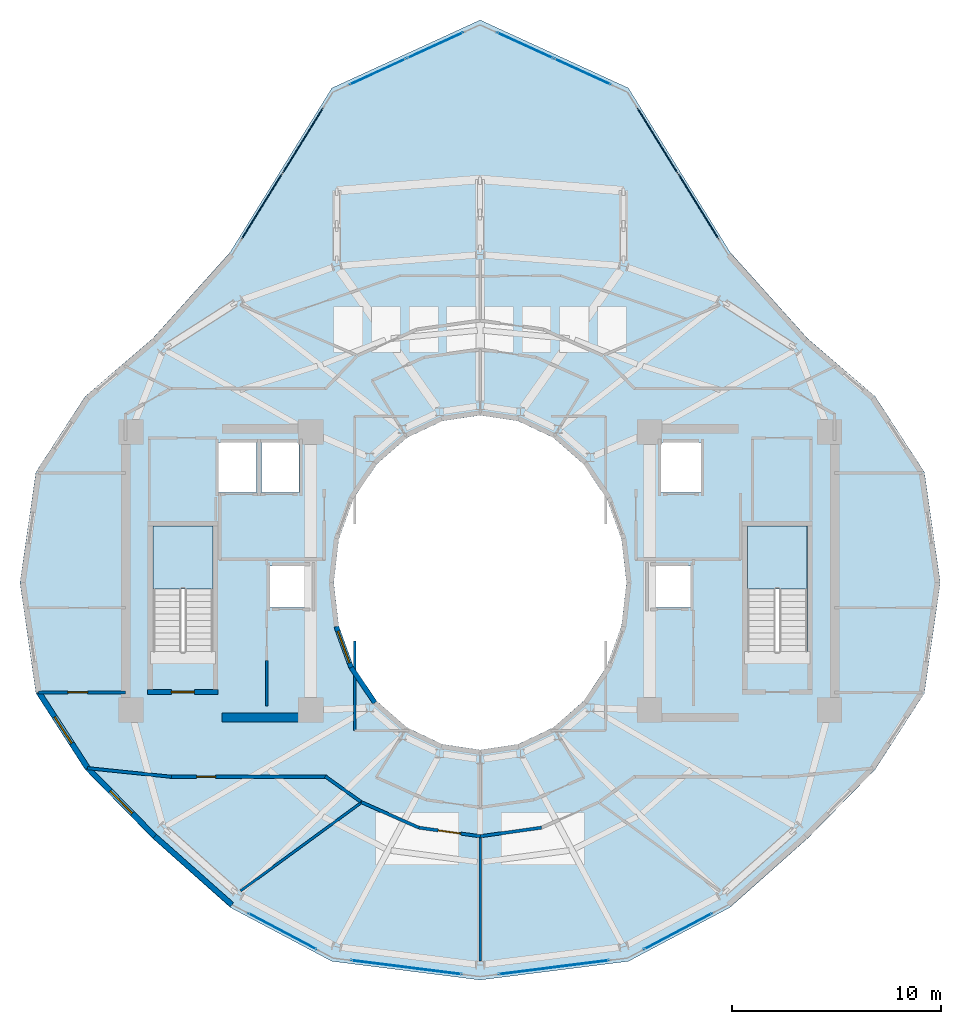
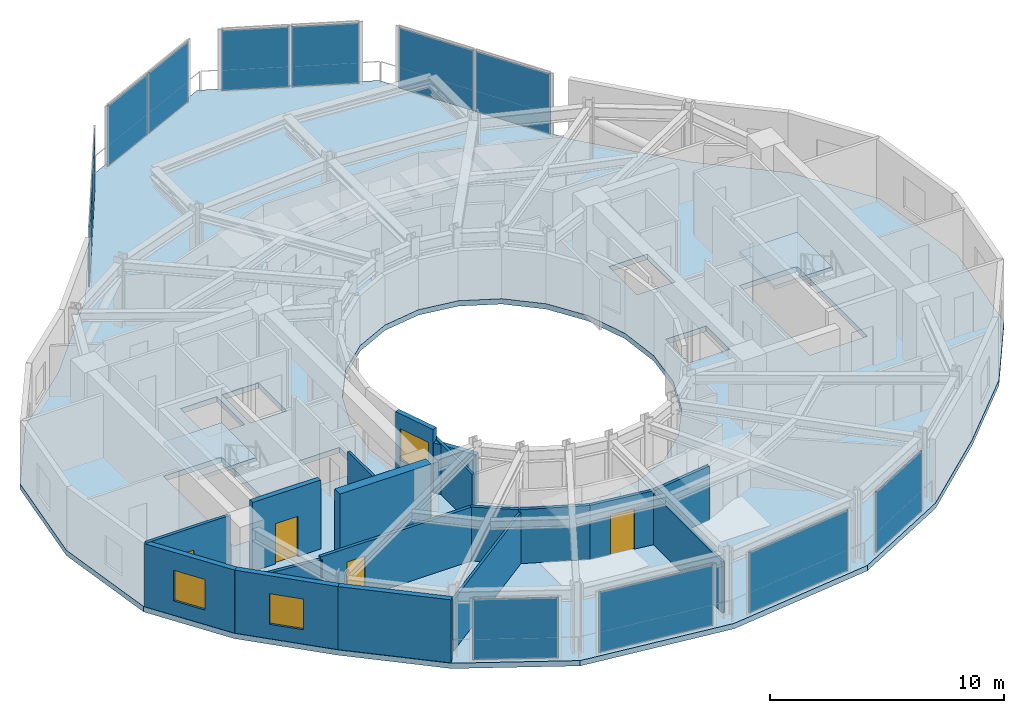
# One storey, part 12 of 19: 18 walls, 12 plates, 4 doors, 3 slabs, 3 windows, 7 openings, 10 elements without a shape of their own.
"""IFC4 building model written with IfcOpenShell, lengths in metres."""

from ifc_helpers import new_model, si_unit, direction, frame, frame_2d, origin, origin_2d, place, context, subcontext, project, spatial, polyline, rectangle, outline, extrude, material, layer, layer_set, type_object, element, fill, aggregate, save


model = new_model("IFC4")

# Units and contexts
model_context = context("Model", 3, precision=1e-05, world=origin(), true_north=direction((0.0, 1.0)))
body_context = subcontext(model_context, "Body", "Model", "MODEL_VIEW")
ifc_project = project(units=[si_unit("LENGTHUNIT", "METRE"), si_unit("AREAUNIT", "SQUARE_METRE"), si_unit("VOLUMEUNIT", "CUBIC_METRE"), si_unit("PLANEANGLEUNIT", "RADIAN"), si_unit("MASSUNIT", "GRAM", prefix="KILO")], contexts=[model_context])

# Site, building, storey
site_placement = place(None, origin())
site = spatial("IfcSite", under=ifc_project, at=site_placement, CompositionType="ELEMENT")
building_placement = place(site_placement, origin())
building = spatial("IfcBuilding", under=site, at=building_placement, Name="Solvane Sanctuary Tower", CompositionType="ELEMENT")
storey_placement = place(building_placement, frame((0.0, 0.0, 242.39990234375)))
storey = spatial("IfcBuildingStorey", under=building, at=storey_placement, Name="L74", CompositionType="ELEMENT", Elevation=242.39990234375)

# Curtain wall, plates
ifc_material_1 = material(Name="Anodised Aluminium 6063-T6", Category="aluminium")
ifc_layer_1 = layer(ifc_material_1, 0.18994140625, Name="Anodised Aluminium 6063-T6")
ifc_layer_set_1 = layer_set([ifc_layer_1], Name="Anodised Aluminium 6063-T6")
curtain_wall_type = type_object("IfcCurtainWallType", Name="Curtain Wall CW-OPER", PredefinedType="NOTDEFINED", material=ifc_layer_set_1)
curtain_wall_1_placement = place(storey_placement, origin())
curtain_wall_1 = element("IfcCurtainWall", 1, at=curtain_wall_1_placement, inside=storey, type_object=curtain_wall_type, Name="L74 CW-OPER Facade Run 04", PredefinedType="NOTDEFINED")
ifc_material_2 = material(Name="Dark Ceramic-Fritted Low-E Glass", Category="glass")
ifc_layer_2 = layer(ifc_material_2, 0.0419921875, Name="Dark Ceramic-Fritted Low-E Glass")
ifc_layer_set_2 = layer_set([ifc_layer_2], Name="Dark Ceramic-Fritted Low-E Glass")
plate_type = type_object("IfcPlateType", Name="Plate PN-OPER-VENT", PredefinedType="CURTAIN_PANEL", material=ifc_layer_set_2)
plate_1_placement = place(storey_placement, frame((42.437255859375, 40.978515625, 0.065185546875), z_axis=(0.0, 0.0, 1.0), x_axis=(-0.527391688453, 0.849622273102, 0.0)))
plate_1 = element("IfcPlate", 2, at=plate_1_placement, type_object=plate_type, Name="CW-OPER panel 1.1", PredefinedType="CURTAIN_PANEL", context=body_context, shape_type="SweptSolid", body=[
    extrude(rectangle(XDim=3.643798828125, YDim=0.0419921875, at=origin_2d()), origin(), (0.0, 0.0, 1.0), 3.14990234375),
])
plate_2_placement = place(storey_placement, frame((40.475830078125, 44.137939453125, 0.065185546875), z_axis=(0.0, 0.0, 1.0), x_axis=(-0.527391688453, 0.849622273102, 0.0)))
plate_2 = element("IfcPlate", 3, at=plate_2_placement, type_object=plate_type, Name="CW-OPER panel 2.1", PredefinedType="CURTAIN_PANEL", context=body_context, shape_type="SweptSolid", body=[
    extrude(rectangle(XDim=3.643798828125, YDim=0.0419921875, at=origin_2d()), origin(), (0.0, 0.0, 1.0), 3.14990234375),
])
aggregate(curtain_wall_1, [plate_1, plate_2])

curtain_wall_2_placement = place(storey_placement, origin())
curtain_wall_2 = element("IfcCurtainWall", 4, at=curtain_wall_2_placement, inside=storey, type_object=curtain_wall_type, Name="L74 CW-OPER Facade Run 05", PredefinedType="NOTDEFINED")
plate_3_placement = place(storey_placement, frame((36.892333984375, 47.430908203125, 0.065185546875), z_axis=(0.0, 0.0, 1.0), x_axis=(-0.909261677661, 0.416224941032, 0.0)))
plate_3 = element("IfcPlate", 5, at=plate_3_placement, type_object=plate_type, Name="CW-OPER panel 1.1", PredefinedType="CURTAIN_PANEL", context=body_context, shape_type="SweptSolid", body=[
    extrude(rectangle(XDim=2.9404296875, YDim=0.0419921875, at=origin_2d()), origin(), (0.0, 0.0, 1.0), 3.14990234375),
])
plate_4_placement = place(storey_placement, frame((34.150634765625, 48.68603515625, 0.065185546875), z_axis=(0.0, 0.0, 1.0), x_axis=(-0.909261677661, 0.416224941032, 0.0)))
plate_4 = element("IfcPlate", 6, at=plate_4_placement, type_object=plate_type, Name="CW-OPER panel 2.1", PredefinedType="CURTAIN_PANEL", context=body_context, shape_type="SweptSolid", body=[
    extrude(rectangle(XDim=2.9404296875, YDim=0.0419921875, at=origin_2d()), origin(), (0.0, 0.0, 1.0), 3.14990234375),
])
aggregate(curtain_wall_2, [plate_3, plate_4])

curtain_wall_3_placement = place(storey_placement, origin())
curtain_wall_3 = element("IfcCurtainWall", 7, at=curtain_wall_3_placement, inside=storey, type_object=curtain_wall_type, Name="L74 CW-OPER Facade Run 06", PredefinedType="NOTDEFINED")
plate_5_placement = place(storey_placement, frame((29.849365234375, 48.68603515625, 0.065185546875), z_axis=(0.0, 0.0, 1.0), x_axis=(-0.909261677661, -0.416224941032, 0.0)))
plate_5 = element("IfcPlate", 8, at=plate_5_placement, type_object=plate_type, Name="CW-OPER panel 1.1", PredefinedType="CURTAIN_PANEL", context=body_context, shape_type="SweptSolid", body=[
    extrude(rectangle(XDim=2.9404296875, YDim=0.0419921875, at=origin_2d()), origin(), (0.0, 0.0, 1.0), 3.14990234375),
])
plate_6_placement = place(storey_placement, frame((27.107666015625, 47.430908203125, 0.065185546875), z_axis=(0.0, 0.0, 1.0), x_axis=(-0.909261677661, -0.416224941032, 0.0)))
plate_6 = element("IfcPlate", 9, at=plate_6_placement, type_object=plate_type, Name="CW-OPER panel 2.1", PredefinedType="CURTAIN_PANEL", context=body_context, shape_type="SweptSolid", body=[
    extrude(rectangle(XDim=2.9404296875, YDim=0.0419921875, at=origin_2d()), origin(), (0.0, 0.0, 1.0), 3.14990234375),
])
aggregate(curtain_wall_3, [plate_5, plate_6])

curtain_wall_4_placement = place(storey_placement, origin())
curtain_wall_4 = element("IfcCurtainWall", 10, at=curtain_wall_4_placement, inside=storey, type_object=curtain_wall_type, Name="L74 CW-OPER Facade Run 07", PredefinedType="NOTDEFINED")
plate_7_placement = place(storey_placement, frame((23.524169921875, 44.137939453125, 0.065185546875), z_axis=(0.0, 0.0, 1.0), x_axis=(-0.527391688453, -0.849622273102, 0.0)))
plate_7 = element("IfcPlate", 11, at=plate_7_placement, type_object=plate_type, Name="CW-OPER panel 1.1", PredefinedType="CURTAIN_PANEL", context=body_context, shape_type="SweptSolid", body=[
    extrude(rectangle(XDim=3.643798828125, YDim=0.0419921875, at=origin_2d()), origin(), (0.0, 0.0, 1.0), 3.14990234375),
])
plate_8_placement = place(storey_placement, frame((21.562744140625, 40.978515625, 0.065185546875), z_axis=(0.0, 0.0, 1.0), x_axis=(-0.527391688453, -0.849622273102, 0.0)))
plate_8 = element("IfcPlate", 12, at=plate_8_placement, type_object=plate_type, Name="CW-OPER panel 2.1", PredefinedType="CURTAIN_PANEL", context=body_context, shape_type="SweptSolid", body=[
    extrude(rectangle(XDim=3.643798828125, YDim=0.0419921875, at=origin_2d()), origin(), (0.0, 0.0, 1.0), 3.14990234375),
])
aggregate(curtain_wall_4, [plate_7, plate_8])

# Curtain wall, plate
curtain_wall_5_placement = place(storey_placement, origin())
curtain_wall_5 = element("IfcCurtainWall", 13, at=curtain_wall_5_placement, inside=storey, type_object=curtain_wall_type, Name="L74 CW-OPER Facade Run 16", PredefinedType="NOTDEFINED")
plate_9_placement = place(storey_placement, frame((22.54345703125, 6.324462890625, 0.065185546875), z_axis=(0.0, 0.0, 1.0), x_axis=(0.883980752049, -0.467523293544, 0.0)))
plate_9 = element("IfcPlate", 14, at=plate_9_placement, type_object=plate_type, Name="CW-OPER panel 1.1", PredefinedType="CURTAIN_PANEL", context=body_context, shape_type="SweptSolid", body=[
    extrude(rectangle(XDim=3.670654296875, YDim=0.0419921875, at=origin_2d()), origin(), (0.0, 0.0, 1.0), 3.14990234375),
])
aggregate(curtain_wall_5, [plate_9])

curtain_wall_6_placement = place(storey_placement, origin())
curtain_wall_6 = element("IfcCurtainWall", 15, at=curtain_wall_6_placement, inside=storey, type_object=curtain_wall_type, Name="L74 CW-OPER Facade Run 17", PredefinedType="NOTDEFINED")
plate_10_placement = place(storey_placement, frame((28.478515625, 4.605224609375, 0.065185546875), z_axis=(0.0, 0.0, 1.0), x_axis=(0.992180050716, -0.124814850727, 0.0)))
plate_10 = element("IfcPlate", 16, at=plate_10_placement, type_object=plate_type, Name="CW-OPER panel 1.1", PredefinedType="CURTAIN_PANEL", context=body_context, shape_type="SweptSolid", body=[
    extrude(rectangle(XDim=5.30859375, YDim=0.0419921875, at=origin_2d()), origin(), (0.0, 0.0, 1.0), 3.14990234375),
])
aggregate(curtain_wall_6, [plate_10])

curtain_wall_7_placement = place(storey_placement, origin())
curtain_wall_7 = element("IfcCurtainWall", 17, at=curtain_wall_7_placement, inside=storey, type_object=curtain_wall_type, Name="L74 CW-OPER Facade Run 18", PredefinedType="NOTDEFINED")
plate_11_placement = place(storey_placement, frame((35.521484375, 4.605224609375, 0.065185546875), z_axis=(0.0, 0.0, 1.0), x_axis=(0.992180050716, 0.124814850727, 0.0)))
plate_11 = element("IfcPlate", 18, at=plate_11_placement, type_object=plate_type, Name="CW-OPER panel 1.1", PredefinedType="CURTAIN_PANEL", context=body_context, shape_type="SweptSolid", body=[
    extrude(rectangle(XDim=5.30859375, YDim=0.0419921875, at=origin_2d()), origin(), (0.0, 0.0, 1.0), 3.14990234375),
])
aggregate(curtain_wall_7, [plate_11])

curtain_wall_8_placement = place(storey_placement, origin())
curtain_wall_8 = element("IfcCurtainWall", 19, at=curtain_wall_8_placement, inside=storey, type_object=curtain_wall_type, Name="L74 CW-OPER Facade Run 19", PredefinedType="NOTDEFINED")
plate_12_placement = place(storey_placement, frame((41.45654296875, 6.324462890625, 0.065185546875), z_axis=(0.0, 0.0, 1.0), x_axis=(0.883980752049, 0.467523293544, 0.0)))
plate_12 = element("IfcPlate", 20, at=plate_12_placement, type_object=plate_type, Name="CW-OPER panel 1.1", PredefinedType="CURTAIN_PANEL", context=body_context, shape_type="SweptSolid", body=[
    extrude(rectangle(XDim=3.670654296875, YDim=0.0419921875, at=origin_2d()), origin(), (0.0, 0.0, 1.0), 3.14990234375),
])
aggregate(curtain_wall_8, [plate_12])

# Slab
ifc_material_3 = material(Name="Concrete C50/60", Category="concrete")
ifc_layer_3 = layer(ifc_material_3, 0.280029296875, Name="Concrete C50/60")
ifc_layer_set_3 = layer_set([ifc_layer_3], Name="Concrete C50/60")
slab_type_1 = type_object("IfcSlabType", Name="Slab SL-CANT-280", PredefinedType="FLOOR", material=ifc_layer_set_3)
slab_1_placement = place(storey_placement, frame((0.0, 0.0, -0.27978515625)))
element("IfcSlab", 21, at=slab_1_placement, inside=storey, type_object=slab_type_1, Name="L74 Primary Structural Slab", PredefinedType="FLOOR", context=body_context, shape_type="SweptSolid", body=[
    extrude(outline(polyline([(54.0, 23.0), (53.239990234375, 28.283935546875), (50.881103515625, 31.9052734375), (47.6572265625, 34.671875), (43.946044921875, 38.804931640625), (39.088134765625, 46.648193359375), (32.0, 49.89990234375), (24.911865234375, 46.648193359375), (20.053955078125, 38.804931640625), (16.3427734375, 34.671875), (13.118896484375, 31.9052734375), (10.760009765625, 28.283935546875), (10.0, 23.0), (10.760009765625, 17.716064453125), (13.118896484375, 14.056884765625), (16.3427734375, 10.7666015625), (20.053955078125, 7.46826171875), (24.911865234375, 4.8935546875), (32.0, 4.0), (39.088134765625, 4.8935546875), (43.946044921875, 7.46826171875), (47.6572265625, 10.7666015625), (50.881103515625, 14.056884765625), (53.239990234375, 17.716064453125), (54.0, 23.0)]), holes=[polyline([(38.761474609375, 20.929443359375), (38.062255859375, 19.0), (36.94970703125, 17.343017578125), (35.5, 16.07177734375), (33.811767578125, 15.272705078125), (32.0, 15.0), (30.188232421875, 15.272705078125), (28.5, 16.07177734375), (27.05029296875, 17.343017578125), (25.937744140625, 19.0), (25.238525390625, 20.929443359375), (25.0, 23.0), (25.238525390625, 25.070556640625), (25.937744140625, 27.0), (27.05029296875, 28.656982421875), (28.5, 29.92822265625), (30.188232421875, 30.727294921875), (32.0, 31.0), (33.811767578125, 30.727294921875), (35.5, 29.92822265625), (36.94970703125, 28.656982421875), (38.062255859375, 27.0), (38.761474609375, 25.070556640625), (39.0, 23.0), (38.761474609375, 20.929443359375)]), polyline([(16.360107421875, 19.699951171875), (16.360107421875, 25.699951171875), (19.219970703125, 25.699951171875), (19.219970703125, 19.699951171875), (16.360107421875, 19.699951171875)]), polyline([(44.780029296875, 19.699951171875), (44.780029296875, 25.699951171875), (47.639892578125, 25.699951171875), (47.639892578125, 19.699951171875), (44.780029296875, 19.699951171875)]), polyline([(21.949951171875, 23.800048828125), (23.949951171875, 23.800048828125), (23.949951171875, 21.800048828125), (21.949951171875, 21.800048828125), (21.949951171875, 23.800048828125)]), polyline([(40.050048828125, 23.800048828125), (42.050048828125, 23.800048828125), (42.050048828125, 21.800048828125), (40.050048828125, 21.800048828125), (40.050048828125, 23.800048828125)]), polyline([(19.5, 29.699951171875), (21.300048828125, 29.699951171875), (21.300048828125, 27.300048828125), (19.5, 27.300048828125), (19.5, 29.699951171875)]), polyline([(21.550048828125, 29.699951171875), (23.35009765625, 29.699951171875), (23.35009765625, 27.300048828125), (21.550048828125, 27.300048828125), (21.550048828125, 29.699951171875)]), polyline([(40.64990234375, 29.699951171875), (42.550048828125, 29.699951171875), (42.550048828125, 27.300048828125), (40.64990234375, 27.300048828125), (40.64990234375, 29.699951171875)])]), origin(), (0.0, 0.0, 1.0), 0.27978515625),
])

# Stair, slab
ifc_material_4 = material(Name="Concrete C45/55", Category="concrete")
stair_type = type_object("IfcStairType", Name="Stair ST-TOW", PredefinedType="HALF_TURN_STAIR", material=ifc_material_4)
stair_1_placement = place(storey_placement, origin())
stair_1 = element("IfcStair", 22, at=stair_1_placement, inside=storey, type_object=stair_type, Name="L74 Exit Stair ST-1 West Core", PredefinedType="HALF_TURN_STAIR")
ifc_layer_4 = layer(ifc_material_4, 0.199951171875, Name="Concrete C45/55")
ifc_layer_set_4 = layer_set([ifc_layer_4], Name="Concrete C45/55")
slab_type_2 = type_object("IfcSlabType", Name="Slab SL-LAND-180", PredefinedType="LANDING", material=ifc_layer_set_4)
slab_2_placement = place(storey_placement, frame((0.0, 0.0, 1.60009765625)))
slab_2 = element("IfcSlab", 23, at=slab_2_placement, type_object=slab_type_2, Name="ST-1 landing 1", PredefinedType="LANDING", context=body_context, shape_type="SweptSolid", body=[
    extrude(outline(polyline([(19.219970703125, 22.699951171875), (19.219970703125, 25.699951171875), (16.360107421875, 25.699951171875), (16.360107421875, 22.699951171875), (19.219970703125, 22.699951171875)])), origin(), (0.0, 0.0, 1.0), 0.199951171875),
])
aggregate(stair_1, [slab_2])

stair_2_placement = place(storey_placement, origin())
stair_2 = element("IfcStair", 24, at=stair_2_placement, inside=storey, type_object=stair_type, Name="L74 Exit Stair ST-2 East Core", PredefinedType="HALF_TURN_STAIR")
slab_3_placement = place(storey_placement, frame((0.0, 0.0, 1.60009765625)))
slab_3 = element("IfcSlab", 25, at=slab_3_placement, type_object=slab_type_2, Name="ST-2 landing 1", PredefinedType="LANDING", context=body_context, shape_type="SweptSolid", body=[
    extrude(outline(polyline([(47.639892578125, 22.699951171875), (47.639892578125, 25.699951171875), (44.780029296875, 25.699951171875), (44.780029296875, 22.699951171875), (47.639892578125, 22.699951171875)])), origin(), (0.0, 0.0, 1.0), 0.199951171875),
])
aggregate(stair_2, [slab_3])

# Wall
ifc_layer_5 = layer(ifc_material_3, 0.449951171875, Name="Concrete C50/60")
ifc_layer_set_5 = layer_set([ifc_layer_5], Name="Concrete C50/60")
wall_type_1 = type_object("IfcWallType", Name="Wall W-CORE-450", PredefinedType="SHEAR", material=ifc_layer_set_5)
wall_1_placement = place(storey_placement, frame((19.64990234375, 16.550048828125, 0.0), z_axis=(0.0, 0.0, 1.0), x_axis=(1.0, 0.0, 0.0)))
element("IfcWall", 26, at=wall_1_placement, inside=storey, type_object=wall_type_1, Name="L74 Core Shear Wall WC-S", PredefinedType="SHEAR", context=body_context, shape_type="SweptSolid", body=[
    extrude(rectangle(XDim=4.5, YDim=0.449951171875, at=frame_2d((2.25, 0.0))), origin(), (0.0, 0.0, 1.0), 3.60009765625),
])

# Wall, opening, door
ifc_material_5 = material(Name="Acoustic Gypsum Partition Board")
ifc_layer_6 = layer(ifc_material_5, 0.14990234375, Name="Acoustic Gypsum Partition Board")
ifc_layer_set_6 = layer_set([ifc_layer_6], Name="Acoustic Gypsum Partition Board")
wall_type_2 = type_object("IfcWallType", Name="Wall W-CORR-150", PredefinedType="PARTITIONING", material=ifc_layer_set_6)
wall_2_placement = place(storey_placement, frame((10.87548828125, 17.754638671875, 0.0), z_axis=(0.0, 0.0, 1.0), x_axis=(1.0, 0.0, 0.0)))
wall_2 = element("IfcWall", 27, at=wall_2_placement, inside=storey, type_object=wall_type_2, Name="L74 West Shoulder South Wall", PredefinedType="PARTITIONING", context=body_context, shape_type="SweptSolid", body=[
    extrude(rectangle(XDim=4.174560546875, YDim=0.14990234375, at=frame_2d((2.08740234375, 0.0))), origin(), (0.0, 0.0, 1.0), 3.295166015625),
])
opening_1_placement = place(wall_2_placement, frame((1.407470703125, 0.0, 0.0)))
opening_1 = element("IfcOpeningElement", 28, at=opening_1_placement, cuts=wall_2, Name="Opening D-L74-15", PredefinedType="OPENING", context=body_context, shape_type="SweptSolid", body=[
    extrude(rectangle(XDim=0.949951171875, YDim=2.10009765625, at=frame_2d((0.47509765625, 1.050048828125))), frame((0.0, 0.0849609375, 0.0), z_axis=(0.0, -1.0, 0.0), x_axis=(1.0, 0.0, 0.0)), (0.0, 0.0, 1.0), 0.169921875),
])
ifc_material_6 = material(Name="Engineered Tropical Hardwood", Category="wood")
door_type_1 = type_object("IfcDoorType", Name="Door D-ROOM-950", OperationType="NOTDEFINED", PredefinedType="DOOR", material=ifc_material_6)
door_1_placement = place(opening_1_placement, origin())
door_1 = element("IfcDoor", 29, at=door_1_placement, inside=storey, type_object=door_type_1, Name="L74 West Shoulder South Door", OperationType="SINGLE_SWING_RIGHT", OverallHeight=2.10009765625, OverallWidth=0.949951171875, PredefinedType="DOOR", context=body_context, shape_type="SweptSolid", body=[
    extrude(rectangle(XDim=0.949951171875, YDim=2.10009765625, at=frame_2d((0.47509765625, 1.050048828125))), frame((0.0, 0.02490234375, 0.0), z_axis=(0.0, -1.0, 0.0), x_axis=(1.0, 0.0, 0.0)), (0.0, 0.0, 1.0), 0.050048828125),
])
fill(opening_1, door_1)

# Wall
wall_3_placement = place(storey_placement, frame((26.290283203125, 12.527099609375, 0.0), z_axis=(0.0, 0.0, 1.0), x_axis=(-0.813780999276, 0.581171648669, 0.0)))
element("IfcWall", 30, at=wall_3_placement, inside=storey, type_object=wall_type_2, Name="L74 SW Corner Throat Wall", PredefinedType="PARTITIONING", context=body_context, shape_type="SweptSolid", body=[
    extrude(rectangle(XDim=2.082275390625, YDim=0.14990234375, at=frame_2d((1.041015625, 0.0))), origin(), (0.0, 0.0, 1.0), 2.816162109375),
])

# Wall, opening, door
wall_4_placement = place(storey_placement, frame((17.14990234375, 13.719970703125, 0.0), z_axis=(0.0, 0.0, 1.0), x_axis=(1.0, 0.0, 0.0)))
wall_4 = element("IfcWall", 31, at=wall_4_placement, inside=storey, type_object=wall_type_2, Name="L74 SW Corner Corridor Wall", PredefinedType="PARTITIONING", context=body_context, shape_type="SweptSolid", body=[
    extrude(rectangle(XDim=7.52001953125, YDim=0.14990234375, at=frame_2d((3.760009765625, 0.0))), origin(), (0.0, 0.0, 1.0), 2.816162109375),
])
opening_2_placement = place(wall_4_placement, frame((1.300048828125, 0.0, 0.0)))
opening_2 = element("IfcOpeningElement", 32, at=opening_2_placement, cuts=wall_4, Name="Opening D-L74-21", PredefinedType="OPENING", context=body_context, shape_type="SweptSolid", body=[
    extrude(rectangle(XDim=0.89990234375, YDim=2.10009765625, at=frame_2d((0.449951171875, 1.050048828125))), frame((0.0, 0.0849609375, 0.0), z_axis=(0.0, -1.0, 0.0), x_axis=(1.0, 0.0, 0.0)), (0.0, 0.0, 1.0), 0.169921875),
])
door_type_2 = type_object("IfcDoorType", Name="Door D-WET-900", OperationType="NOTDEFINED", PredefinedType="DOOR", material=ifc_material_6)
door_2_placement = place(opening_2_placement, origin())
door_2 = element("IfcDoor", 33, at=door_2_placement, inside=storey, type_object=door_type_2, Name="L74 SW Corner Salon Door", OperationType="SINGLE_SWING_RIGHT", OverallHeight=2.10009765625, OverallWidth=0.89990234375, PredefinedType="DOOR", context=body_context, shape_type="SweptSolid", body=[
    extrude(rectangle(XDim=0.89990234375, YDim=2.10009765625, at=frame_2d((0.449951171875, 1.050048828125))), frame((0.0, 0.02490234375, 0.0), z_axis=(0.0, -1.0, 0.0), x_axis=(1.0, 0.0, 0.0)), (0.0, 0.0, 1.0), 0.050048828125),
])
fill(opening_2, door_2)

# Walls
wall_5_placement = place(storey_placement, frame((17.249755859375, 13.71484375, 0.0), z_axis=(0.0, 0.0, 1.0), x_axis=(-0.994734711466, 0.102483431859, 0.0)))
element("IfcWall", 34, at=wall_5_placement, inside=storey, type_object=wall_type_2, Name="L74 SW Corner Wing Wall", PredefinedType="PARTITIONING", context=body_context, shape_type="SweptSolid", body=[
    extrude(rectangle(XDim=4.04736328125, YDim=0.14990234375, at=frame_2d((2.023681640625, 0.0))), origin(), (0.0, 0.0, 1.0), 2.66015625),
])
wall_6_placement = place(storey_placement, frame((26.328125, 12.499267578125, 0.0), z_axis=(0.0, 0.0, 1.0), x_axis=(0.914043013008, -0.4056172708, 0.0)))
element("IfcWall", 35, at=wall_6_placement, inside=storey, type_object=wall_type_2, Name="L74 Sky Promenade Corridor Wall S1", PredefinedType="PARTITIONING", context=body_context, shape_type="SweptSolid", body=[
    extrude(rectangle(XDim=2.999267578125, YDim=0.14990234375, at=frame_2d((1.49951171875, 0.0))), origin(), (0.0, 0.0, 1.0), 2.816162109375),
])

# Wall, opening, door
wall_7_placement = place(storey_placement, frame((29.065673828125, 11.283935546875, 0.0), z_axis=(0.0, 0.0, 1.0), x_axis=(0.990252860391, -0.139281271128, 0.0)))
wall_7 = element("IfcWall", 36, at=wall_7_placement, inside=storey, type_object=wall_type_2, Name="L74 Sky Promenade Corridor Wall S1", PredefinedType="PARTITIONING", context=body_context, shape_type="SweptSolid", body=[
    extrude(rectangle(XDim=2.97119140625, YDim=0.14990234375, at=frame_2d((1.485595703125, 0.0))), origin(), (0.0, 0.0, 1.0), 2.816162109375),
])
opening_3_placement = place(wall_7_placement, frame((0.935546875, 0.0, 0.0)))
opening_3 = element("IfcOpeningElement", 37, at=opening_3_placement, cuts=wall_7, Name="Opening D-L74-25", PredefinedType="OPENING", context=body_context, shape_type="SweptSolid", body=[
    extrude(rectangle(XDim=1.10009765625, YDim=2.10009765625, at=frame_2d((0.550048828125, 1.050048828125))), frame((0.0, 0.0849609375, 0.0), z_axis=(0.0, -1.0, 0.0), x_axis=(1.0, 0.0, 0.0)), (0.0, 0.0, 1.0), 0.169921875),
])
ifc_material_7 = material(Name="Architectural Stainless Steel 316", Category="steel")
door_type_3 = type_object("IfcDoorType", Name="Door D-FFL", OperationType="NOTDEFINED", PredefinedType="DOOR", material=ifc_material_7)
door_3_placement = place(opening_3_placement, origin())
door_3 = element("IfcDoor", 38, at=door_3_placement, inside=storey, type_object=door_type_3, Name="L74 Sky Hall Entrance Door S1", OperationType="SINGLE_SWING_RIGHT", OverallHeight=2.10009765625, OverallWidth=1.10009765625, PredefinedType="DOOR", context=body_context, shape_type="SweptSolid", body=[
    extrude(rectangle(XDim=1.10009765625, YDim=2.10009765625, at=frame_2d((0.550048828125, 1.050048828125))), frame((0.0, 0.02490234375, 0.0), z_axis=(0.0, -1.0, 0.0), x_axis=(1.0, 0.0, 0.0)), (0.0, 0.0, 1.0), 0.050048828125),
])
fill(opening_3, door_3)

# Wall
wall_8_placement = place(storey_placement, frame((31.9921875, 10.8701171875, 0.0), z_axis=(0.0, 0.0, 1.0), x_axis=(0.990252860391, 0.139281271128, 0.0)))
element("IfcWall", 39, at=wall_8_placement, inside=storey, type_object=wall_type_2, Name="L74 Sky Promenade Corridor Wall S2", PredefinedType="PARTITIONING", context=body_context, shape_type="SweptSolid", body=[
    extrude(rectangle(XDim=2.97119140625, YDim=0.14990234375, at=frame_2d((1.485595703125, 0.0))), origin(), (0.0, 0.0, 1.0), 2.816162109375),
])

# Wall, opening, window
ifc_material_8 = material(Name="Precast concrete C40/50", Category="concrete")
ifc_layer_7 = layer(ifc_material_8, 0.260009765625, Name="Precast concrete C40/50")
ifc_layer_set_7 = layer_set([ifc_layer_7], Name="Precast concrete C40/50")
wall_type_3 = type_object("IfcWallType", Name="Wall W-EXT-250", PredefinedType="STANDARD", material=ifc_layer_set_7)
wall_9_placement = place(storey_placement, frame((10.895263671875, 17.76123046875, 0.0), z_axis=(0.0, 0.0, 1.0), x_axis=(0.542641766008, -0.839964233634, 0.0)))
wall_9 = element("IfcWall", 40, at=wall_9_placement, inside=storey, type_object=wall_type_3, Name="L74 Ceramic-Printed Facade Wall 13", PredefinedType="STANDARD", context=body_context, shape_type="SweptSolid", body=[
    extrude(rectangle(XDim=4.319091796875, YDim=0.260009765625, at=frame_2d((2.15966796875, 0.0))), origin(), (0.0, 0.0, 1.0), 3.2900390625),
])
opening_4_placement = place(wall_9_placement, frame((1.40966796875, 0.0, 0.75)))
opening_4 = element("IfcOpeningElement", 41, at=opening_4_placement, cuts=wall_9, Name="Opening WN-OPER-1500", PredefinedType="OPENING", context=body_context, shape_type="SweptSolid", body=[
    extrude(rectangle(XDim=1.5, YDim=1.60009765625, at=frame_2d((0.75, 0.800048828125))), frame((0.0, 0.139892578125, 0.0), z_axis=(0.0, -1.0, 0.0), x_axis=(1.0, 0.0, 0.0)), (0.0, 0.0, 1.0), 0.280029296875),
])
window_type_1 = type_object("IfcWindowType", Name="Window WN-OPER-1500", PartitioningType="SINGLE_PANEL", PredefinedType="WINDOW", material=ifc_material_2)
window_1_placement = place(opening_4_placement, origin())
window_1 = element("IfcWindow", 42, at=window_1_placement, inside=storey, type_object=window_type_1, Name="L74 Operable Facade Window 13", OverallHeight=1.60009765625, OverallWidth=1.5, PartitioningType="SINGLE_PANEL", PredefinedType="WINDOW", context=body_context, shape_type="SweptSolid", body=[
    extrude(rectangle(XDim=1.5, YDim=1.60009765625, at=frame_2d((0.75, 0.800048828125))), frame((0.0, 0.030029296875, 0.0), z_axis=(0.0, -1.0, 0.0), x_axis=(1.0, 0.0, 0.0)), (0.0, 0.0, 1.0), 0.06005859375),
])
fill(opening_4, window_1)

wall_10_placement = place(storey_placement, frame((13.239013671875, 14.13330078125, 0.0), z_axis=(0.0, 0.0, 1.0), x_axis=(0.700642973333, -0.713512034881, 0.0)))
wall_10 = element("IfcWall", 43, at=wall_10_placement, inside=storey, type_object=wall_type_3, Name="L74 Ceramic-Printed Facade Wall 14", PredefinedType="STANDARD", context=body_context, shape_type="SweptSolid", body=[
    extrude(rectangle(XDim=4.572021484375, YDim=0.260009765625, at=frame_2d((2.2861328125, 0.0))), origin(), (0.0, 0.0, 1.0), 3.2900390625),
])
opening_5_placement = place(wall_10_placement, frame((1.535888671875, 0.0, 0.75)))
opening_5 = element("IfcOpeningElement", 44, at=opening_5_placement, cuts=wall_10, Name="Opening WN-OPER-1500", PredefinedType="OPENING", context=body_context, shape_type="SweptSolid", body=[
    extrude(rectangle(XDim=1.5, YDim=1.60009765625, at=frame_2d((0.75, 0.800048828125))), frame((0.0, 0.139892578125, 0.0), z_axis=(0.0, -1.0, 0.0), x_axis=(1.0, 0.0, 0.0)), (0.0, 0.0, 1.0), 0.280029296875),
])
window_2_placement = place(opening_5_placement, origin())
window_2 = element("IfcWindow", 45, at=window_2_placement, inside=storey, type_object=window_type_1, Name="L74 Operable Facade Window 14", OverallHeight=1.60009765625, OverallWidth=1.5, PartitioningType="SINGLE_PANEL", PredefinedType="WINDOW", context=body_context, shape_type="SweptSolid", body=[
    extrude(rectangle(XDim=1.5, YDim=1.60009765625, at=frame_2d((0.75, 0.800048828125))), frame((0.0, 0.030029296875, 0.0), z_axis=(0.0, -1.0, 0.0), x_axis=(1.0, 0.0, 0.0)), (0.0, 0.0, 1.0), 0.06005859375),
])
fill(opening_5, window_2)

# Wall
wall_11_placement = place(storey_placement, frame((16.4423828125, 10.87109375, 0.0), z_axis=(0.0, 0.0, 1.0), x_axis=(0.748165854006, -0.663511759428, 0.0)))
element("IfcWall", 46, at=wall_11_placement, inside=storey, type_object=wall_type_3, Name="L74 Ceramic-Printed Facade Wall 15", PredefinedType="STANDARD", context=body_context, shape_type="SweptSolid", body=[
    extrude(rectangle(XDim=4.9287109375, YDim=0.260009765625, at=frame_2d((2.46435546875, 0.0))), origin(), (0.0, 0.0, 1.0), 3.2900390625),
])

# Wall, opening, window
ifc_layer_8 = layer(ifc_material_8, 0.22998046875, Name="Precast concrete C40/50")
ifc_layer_set_8 = layer_set([ifc_layer_8], Name="Precast concrete C40/50")
wall_type_4 = type_object("IfcWallType", Name="Wall W-EXT-SP220", PredefinedType="STANDARD", material=ifc_layer_set_8)
wall_12_placement = place(storey_placement, frame((25.12255859375, 20.8984375, 0.0), z_axis=(0.0, 0.0, 1.0), x_axis=(0.341423187295, -0.93990968033, 0.0)))
wall_12 = element("IfcWall", 47, at=wall_12_placement, inside=storey, type_object=wall_type_4, Name="L74 Central Light-Well Wall 13", PredefinedType="STANDARD", context=body_context, shape_type="SweptSolid", body=[
    extrude(rectangle(XDim=2.083740234375, YDim=0.22998046875, at=frame_2d((1.0419921875, 0.0))), origin(), (0.0, 0.0, 1.0), 3.280029296875),
])
opening_6_placement = place(wall_12_placement, frame((0.24169921875, 0.0, 0.85009765625)))
opening_6 = element("IfcOpeningElement", 48, at=opening_6_placement, cuts=wall_12, Name="Opening WN-WELL-1600", PredefinedType="OPENING", context=body_context, shape_type="SweptSolid", body=[
    extrude(rectangle(XDim=1.60009765625, YDim=1.64990234375, at=frame_2d((0.800048828125, 0.824951171875))), frame((0.0, 0.125, 0.0), z_axis=(0.0, -1.0, 0.0), x_axis=(1.0, 0.0, 0.0)), (0.0, 0.0, 1.0), 0.25),
])
ifc_material_9 = material(Name="Clear Laminated Light-Well Glass", Category="glass")
window_type_2 = type_object("IfcWindowType", Name="Window WN-WELL-1600", PartitioningType="SINGLE_PANEL", PredefinedType="WINDOW", material=ifc_material_9)
window_3_placement = place(opening_6_placement, origin())
window_3 = element("IfcWindow", 49, at=window_3_placement, inside=storey, type_object=window_type_2, Name="L74 Light-Well Daylight Window 13", OverallHeight=1.64990234375, OverallWidth=1.60009765625, PartitioningType="SINGLE_PANEL", PredefinedType="WINDOW", context=body_context, shape_type="SweptSolid", body=[
    extrude(rectangle(XDim=1.60009765625, YDim=1.64990234375, at=frame_2d((0.800048828125, 0.824951171875))), frame((0.0, 0.030029296875, 0.0), z_axis=(0.0, -1.0, 0.0), x_axis=(1.0, 0.0, 0.0)), (0.0, 0.0, 1.0), 0.06005859375),
])
fill(opening_6, window_3)

# Walls
wall_13_placement = place(storey_placement, frame((25.833984375, 18.93994140625, 0.0), z_axis=(0.0, 0.0, 1.0), x_axis=(0.558197800898, -0.829707909492, 0.0)))
element("IfcWall", 50, at=wall_13_placement, inside=storey, type_object=wall_type_4, Name="L74 Central Light-Well Wall 14", PredefinedType="STANDARD", context=body_context, shape_type="SweptSolid", body=[
    extrude(rectangle(XDim=2.02685546875, YDim=0.22998046875, at=frame_2d((1.013427734375, 0.0))), origin(), (0.0, 0.0, 1.0), 2.60009765625),
])
ifc_layer_9 = layer(ifc_material_5, 0.1201171875, Name="Acoustic Gypsum Partition Board")
ifc_layer_set_9 = layer_set([ifc_layer_9], Name="Acoustic Gypsum Partition Board")
wall_type_5 = type_object("IfcWallType", Name="Wall W-MOV-100", PredefinedType="MOVABLE", material=ifc_layer_set_9)
wall_14_placement = place(storey_placement, frame((26.29052734375, 12.462646484375, 0.0), z_axis=(0.0, 0.0, 1.0), x_axis=(-0.807095694912, -0.590420646027, 0.0)))
element("IfcWall", 51, at=wall_14_placement, inside=storey, type_object=wall_type_5, Name="L74 Sky Hall Radial Partition 240", PredefinedType="MOVABLE", context=body_context, shape_type="SweptSolid", body=[
    extrude(rectangle(XDim=7.118896484375, YDim=0.1201171875, at=frame_2d((3.5595703125, 0.0))), origin(), (0.0, 0.0, 1.0), 2.66015625),
])
wall_15_placement = place(storey_placement, frame((32.0, 10.81494140625, 0.0), z_axis=(0.0, 0.0, 1.0), x_axis=(0.0, -1.0, 0.0)))
element("IfcWall", 52, at=wall_15_placement, inside=storey, type_object=wall_type_5, Name="L74 Sky Hall Radial Partition 270", PredefinedType="MOVABLE", context=body_context, shape_type="SweptSolid", body=[
    extrude(rectangle(XDim=5.89501953125, YDim=0.1201171875, at=frame_2d((2.947509765625, 0.0))), origin(), (0.0, 0.0, 1.0), 2.66015625),
])
ifc_layer_10 = layer(ifc_material_5, 0.125, Name="Acoustic Gypsum Partition Board")
ifc_layer_set_10 = layer_set([ifc_layer_10], Name="Acoustic Gypsum Partition Board")
wall_type_6 = type_object("IfcWallType", Name="Wall W-PART-125", PredefinedType="PARTITIONING", material=ifc_layer_set_10)
wall_16_placement = place(storey_placement, frame((21.800048828125, 17.10009765625, 0.0), z_axis=(0.0, 0.0, 1.0), x_axis=(0.0, 1.0, 0.0)))
element("IfcWall", 53, at=wall_16_placement, inside=storey, type_object=wall_type_6, Name="L74 Reclaimed Room Closer Wall PMW-1", PredefinedType="PARTITIONING", context=body_context, shape_type="SweptSolid", body=[
    extrude(rectangle(XDim=2.179931640625, YDim=0.125, at=frame_2d((1.08984375, 0.0))), origin(), (0.0, 0.0, 1.0), 3.295166015625),
])
wall_17_placement = place(storey_placement, frame((26.0, 15.919921875, 0.0), z_axis=(0.0, 0.0, 1.0), x_axis=(0.0, 1.0, 0.0)))
element("IfcWall", 54, at=wall_17_placement, inside=storey, type_object=wall_type_6, Name="L74 Bridge Alcove Wall 5", PredefinedType="PARTITIONING", context=body_context, shape_type="SweptSolid", body=[
    extrude(rectangle(XDim=4.280029296875, YDim=0.125, at=frame_2d((2.14013671875, 0.0))), origin(), (0.0, 0.0, 1.0), 2.672119140625),
])

# Wall, opening, door
ifc_layer_11 = layer(ifc_material_3, 0.25, Name="Concrete C50/60")
ifc_layer_set_11 = layer_set([ifc_layer_11], Name="Concrete C50/60")
wall_type_7 = type_object("IfcWallType", Name="Wall W-SHAFT-250", PredefinedType="SOLIDWALL", material=ifc_layer_set_11)
wall_18_placement = place(storey_placement, frame((16.10498046875, 17.77001953125, 0.0), z_axis=(0.0, 0.0, 1.0), x_axis=(1.0, 0.0, 0.0)))
wall_18 = element("IfcWall", 55, at=wall_18_placement, inside=storey, type_object=wall_type_7, Name="L74 ST-1 Load-Bearing Shaft Wall S", PredefinedType="SOLIDWALL", context=body_context, shape_type="SweptSolid", body=[
    extrude(rectangle(XDim=3.3701171875, YDim=0.25, at=frame_2d((1.68505859375, 0.0))), origin(), (0.0, 0.0, 1.0), 3.60009765625),
])
opening_7_placement = place(wall_18_placement, frame((1.135009765625, 0.0, 0.0)))
opening_7 = element("IfcOpeningElement", 56, at=opening_7_placement, cuts=wall_18, Name="Opening D-L74-01", PredefinedType="OPENING", context=body_context, shape_type="SweptSolid", body=[
    extrude(rectangle(XDim=1.10009765625, YDim=2.10009765625, at=frame_2d((0.550048828125, 1.050048828125))), frame((0.0, 0.135009765625, 0.0), z_axis=(0.0, -1.0, 0.0), x_axis=(1.0, 0.0, 0.0)), (0.0, 0.0, 1.0), 0.27001953125),
])
door_type_4 = type_object("IfcDoorType", Name="Door D-STAIR", OperationType="NOTDEFINED", PredefinedType="DOOR", material=ifc_material_7)
door_4_placement = place(opening_7_placement, origin())
door_4 = element("IfcDoor", 57, at=door_4_placement, inside=storey, type_object=door_type_4, Name="L74 ST-1 Exit Stair Fire Door", OperationType="SINGLE_SWING_LEFT", OverallHeight=2.10009765625, OverallWidth=1.10009765625, PredefinedType="DOOR", context=body_context, shape_type="SweptSolid", body=[
    extrude(rectangle(XDim=1.10009765625, YDim=2.10009765625, at=frame_2d((0.550048828125, 1.050048828125))), frame((0.0, 0.02490234375, 0.0), z_axis=(0.0, -1.0, 0.0), x_axis=(1.0, 0.0, 0.0)), (0.0, 0.0, 1.0), 0.050048828125),
])
fill(opening_7, door_4)

save(model, "model.ifc")
